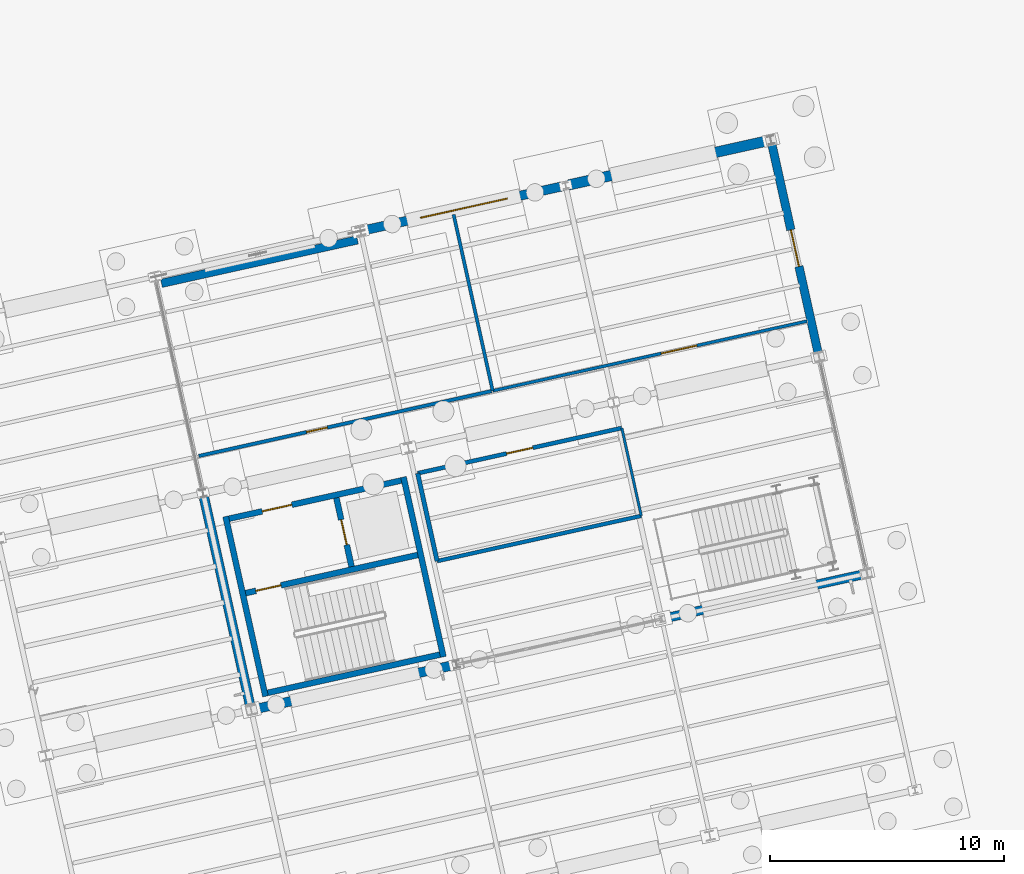
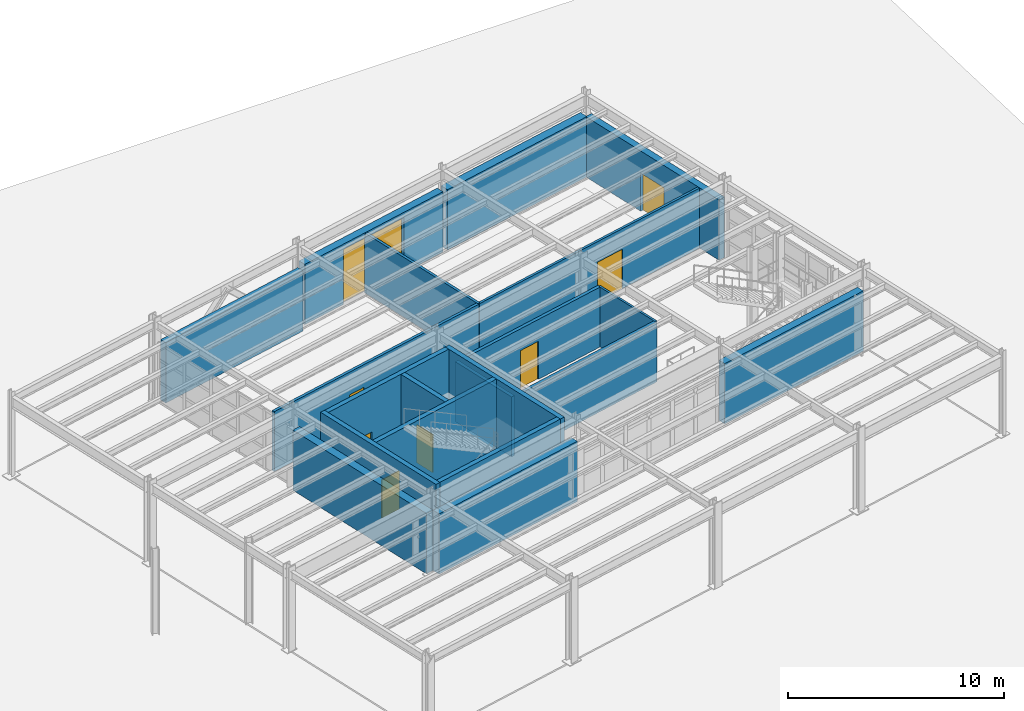
# One storey, part 89 of 108: 20 walls, 8 doors, 8 openings.
"""IFC4 building model written with IfcOpenShell, lengths in metres."""

from ifc_helpers import new_model, si_unit, direction, frame, frame_2d, origin, origin_with_axes, place, context, subcontext, project, spatial, rectangle, extrude, material, layer, layer_set, type_object, element, fill, save


model = new_model("IFC4")

# Units and contexts
model_context = context("Model", 3, precision=1e-05, world=origin(), true_north=direction((0.0, 1.0)))
body_context = subcontext(model_context, "Body", "Model", "MODEL_VIEW")
ifc_project = project(units=[si_unit("LENGTHUNIT", "METRE"), si_unit("AREAUNIT", "SQUARE_METRE"), si_unit("VOLUMEUNIT", "CUBIC_METRE"), si_unit("PLANEANGLEUNIT", "RADIAN"), si_unit("MASSUNIT", "GRAM", prefix="KILO")], contexts=[model_context])

# Site, building, storey
site_placement = place(None, origin())
site = spatial("IfcSite", under=ifc_project, at=site_placement, CompositionType="ELEMENT")
building_placement = place(site_placement, origin())
building = spatial("IfcBuilding", under=site, at=building_placement, Name="Vireo Bluff Cable Station", CompositionType="ELEMENT")
storey_placement = place(building_placement, origin())
storey = spatial("IfcBuildingStorey", under=building, at=storey_placement, Name="L00", CompositionType="ELEMENT", Elevation=0.0)

# Wall, opening, door
ifc_material_1 = material(Name="Precast concrete f'c 45 MPa", Category="concrete")
ifc_layer_1 = layer(ifc_material_1, 0.360107421875, Name="Precast concrete f'c 45 MPa")
ifc_layer_set_1 = layer_set([ifc_layer_1], Name="Precast concrete f'c 45 MPa")
wall_type_1 = type_object("IfcWallType", Name="EW-PRECAST-360", PredefinedType="SOLIDWALL", material=ifc_layer_set_1)
wall_1_placement = place(storey_placement, frame((155.016845703125, 109.44189453125, 0.0), z_axis=(0.0, 0.0, 1.0), x_axis=(0.216434399867, -0.976297163037, 0.0)))
wall_1 = element("IfcWall", 1, at=wall_1_placement, inside=storey, type_object=wall_type_1, Name="V2 L00 east exterior wall 33", PredefinedType="SOLIDWALL", context=body_context, shape_type="SweptSolid", body=[
    extrude(rectangle(XDim=9.119873046875, YDim=0.360107421875, at=frame_2d((4.56005859375, 0.0))), origin(), (0.0, 0.0, 1.0), 3.39990234375),
])
opening_1_placement = place(wall_1_placement, frame((3.760009765625, 0.0, 0.0)))
opening_1 = element("IfcOpeningElement", 2, at=opening_1_placement, cuts=wall_1, Name="Opening ED-003", PredefinedType="OPENING", context=body_context, shape_type="SweptSolid", body=[
    extrude(rectangle(XDim=1.60009765625, YDim=2.14990234375, at=frame_2d((0.800048828125, 1.074951171875))), frame((0.0, 0.18994140625, 0.0), z_axis=(0.0, -1.0, 0.0), x_axis=(1.0, 0.0, 0.0)), (0.0, 0.0, 1.0), 0.380126953125),
])
ifc_material_2 = material(Name="Anodized Aluminium 6063-T6", Category="aluminium")
door_type_1 = type_object("IfcDoorType", Name="EDOOR-1600X2150", OperationType="NOTDEFINED", PredefinedType="DOOR", material=ifc_material_2)
door_1_placement = place(opening_1_placement, origin_with_axes())
door_1 = element("IfcDoor", 3, at=door_1_placement, inside=storey, type_object=door_type_1, Name="V2 L00 plaza exit door ED-003", OperationType="DOUBLE_DOOR_SINGLE_SWING", OverallHeight=2.14990234375, OverallWidth=1.60009765625, PredefinedType="DOOR", context=body_context, shape_type="SweptSolid", body=[
    extrude(rectangle(XDim=1.60009765625, YDim=2.14990234375, at=frame_2d((0.800048828125, 1.074951171875))), frame((0.0, 0.02490234375, 0.0), z_axis=(0.0, -1.0, 0.0), x_axis=(1.0, 0.0, 0.0)), (0.0, 0.0, 1.0), 0.050048828125),
])
fill(opening_1, door_1)

# Walls
ifc_layer_2 = layer(ifc_material_1, 0.39990234375, Name="Precast concrete f'c 45 MPa")
ifc_layer_set_2 = layer_set([ifc_layer_2], Name="Precast concrete f'c 45 MPa")
wall_type_2 = type_object("IfcWallType", Name="EW-PRECAST-400", PredefinedType="SOLIDWALL", material=ifc_layer_set_2)
wall_2_placement = place(storey_placement, frame((158.892822265625, 91.022705078125, 0.0), z_axis=(0.0, 0.0, 1.0), x_axis=(-0.976297282628, -0.216433860412, 0.0)))
element("IfcWall", 4, at=wall_2_placement, inside=storey, type_object=wall_type_2, Name="V2 L00 south exterior wall 27", PredefinedType="SOLIDWALL", context=body_context, shape_type="SweptSolid", body=[
    extrude(rectangle(XDim=8.693603515625, YDim=0.39990234375, at=frame_2d((4.3466796875, 0.0))), origin(), (0.0, 0.0, 1.0), 3.39990234375),
])
ifc_layer_3 = layer(ifc_material_1, 0.409912109375, Name="Precast concrete f'c 45 MPa")
ifc_layer_set_3 = layer_set([ifc_layer_3], Name="Precast concrete f'c 45 MPa")
wall_type_3 = type_object("IfcWallType", Name="EW-PRECAST-410", PredefinedType="SOLIDWALL", material=ifc_layer_set_3)
wall_3_placement = place(storey_placement, frame((141.39111328125, 87.142822265625, 0.0), z_axis=(0.0, 0.0, 1.0), x_axis=(-0.976293666526, -0.216450171406, 0.0)))
element("IfcWall", 5, at=wall_3_placement, inside=storey, type_object=wall_type_3, Name="V2 L00 south exterior wall 28", PredefinedType="SOLIDWALL", context=body_context, shape_type="SweptSolid", body=[
    extrude(rectangle(XDim=8.665771484375, YDim=0.409912109375, at=frame_2d((4.3330078125, 0.0))), origin(), (0.0, 0.0, 1.0), 3.39990234375),
])
ifc_layer_4 = layer(ifc_material_1, 0.419921875, Name="Precast concrete f'c 45 MPa")
ifc_layer_set_4 = layer_set([ifc_layer_4], Name="Precast concrete f'c 45 MPa")
wall_type_4 = type_object("IfcWallType", Name="EW-PRECAST-420", PredefinedType="SOLIDWALL", material=ifc_layer_set_4)
wall_4_placement = place(storey_placement, frame((132.684814453125, 85.42822265625, 0.0), z_axis=(0.0, 0.0, 1.0), x_axis=(-0.216432247925, 0.976297640097, 0.0)))
element("IfcWall", 6, at=wall_4_placement, inside=storey, type_object=wall_type_4, Name="V2 L00 west exterior wall 29", PredefinedType="SOLIDWALL", context=body_context, shape_type="SweptSolid", body=[
    extrude(rectangle(XDim=9.132568359375, YDim=0.419921875, at=frame_2d((4.56640625, 0.0))), origin(), (0.0, 0.0, 1.0), 3.39990234375),
])
ifc_material_3 = material(Name="Fire-Rated Gypsum Board Partition")
ifc_layer_5 = layer(ifc_material_3, 0.110107421875, Name="Fire-Rated Gypsum Board Partition")
ifc_layer_set_5 = layer_set([ifc_layer_5], Name="Fire-Rated Gypsum Board Partition")
wall_type_5 = type_object("IfcWallType", Name="PT-1HR-110", PredefinedType="PARTITIONING", material=ifc_layer_set_5)
wall_5_placement = place(storey_placement, frame((148.59423828125, 97.29248046875, 0.0), z_axis=(0.0, 0.0, 1.0), x_axis=(0.21642685911, -0.97629883471, 0.0)))
element("IfcWall", 7, at=wall_5_placement, inside=storey, type_object=wall_type_5, Name="V2 L00 Maintenance Technician Office E partition", PredefinedType="PARTITIONING", context=body_context, shape_type="SweptSolid", body=[
    extrude(rectangle(XDim=3.85009765625, YDim=0.110107421875, at=frame_2d((1.925048828125, 0.0))), origin(), (0.0, 0.0, 1.0), 3.3798828125),
])

# Wall, opening, door
ifc_layer_6 = layer(ifc_material_3, 0.1298828125, Name="Fire-Rated Gypsum Board Partition")
ifc_layer_set_6 = layer_set([ifc_layer_6], Name="Fire-Rated Gypsum Board Partition")
wall_type_6 = type_object("IfcWallType", Name="PT-1HR-130", PredefinedType="PARTITIONING", material=ifc_layer_set_6)
wall_6_placement = place(storey_placement, frame((156.52197265625, 101.86669921875, 0.0), z_axis=(0.0, 0.0, 1.0), x_axis=(-0.976297820513, -0.216431434087, 0.0)))
wall_6 = element("IfcWall", 8, at=wall_6_placement, inside=storey, type_object=wall_type_6, Name="V2 L00 Medium-Voltage Switchgear Room S partition", PredefinedType="PARTITIONING", context=body_context, shape_type="SweptSolid", body=[
    extrude(rectangle(XDim=13.780029296875, YDim=0.1298828125, at=frame_2d((6.89013671875, 0.0))), origin(), (0.0, 0.0, 1.0), 3.3798828125),
])
opening_2_placement = place(wall_6_placement, frame((4.832275390625, 0.0, 0.0)))
opening_2 = element("IfcOpeningElement", 9, at=opening_2_placement, cuts=wall_6, Name="Opening D-0061", PredefinedType="OPENING", context=body_context, shape_type="SweptSolid", body=[
    extrude(rectangle(XDim=1.56005859375, YDim=2.219970703125, at=frame_2d((0.780029296875, 1.10986328125))), frame((0.0, 0.074951171875, 0.0), z_axis=(0.0, -1.0, 0.0), x_axis=(1.0, 0.0, 0.0)), (0.0, 0.0, 1.0), 0.14990234375),
])
door_type_2 = type_object("IfcDoorType", Name="IDOOR60-1560X2220", OperationType="NOTDEFINED", PredefinedType="DOOR", material=ifc_material_2)
door_2_placement = place(opening_2_placement, origin_with_axes())
door_2 = element("IfcDoor", 10, at=door_2_placement, inside=storey, type_object=door_type_2, Name="V2 L00 Medium-Voltage Switchgear Room door D-0061", OperationType="DOUBLE_DOOR_SINGLE_SWING", OverallHeight=2.219970703125, OverallWidth=1.56005859375, PredefinedType="DOOR", context=body_context, shape_type="SweptSolid", body=[
    extrude(rectangle(XDim=1.56005859375, YDim=2.219970703125, at=frame_2d((0.780029296875, 1.10986328125))), frame((0.0, 0.02490234375, 0.0), z_axis=(0.0, -1.0, 0.0), x_axis=(1.0, 0.0, 0.0)), (0.0, 0.0, 1.0), 0.050048828125),
])
fill(opening_2, door_2)

# Wall
ifc_layer_7 = layer(ifc_material_3, 0.139892578125, Name="Fire-Rated Gypsum Board Partition")
ifc_layer_set_7 = layer_set([ifc_layer_7], Name="Fire-Rated Gypsum Board Partition")
wall_type_7 = type_object("IfcWallType", Name="PT-1HR-140", PredefinedType="PARTITIONING", material=ifc_layer_set_7)
wall_7_placement = place(storey_placement, frame((143.068603515625, 98.88427734375, 0.0), z_axis=(0.0, 0.0, 1.0), x_axis=(-0.21644552293, 0.976294697109, 0.0)))
element("IfcWall", 11, at=wall_7_placement, inside=storey, type_object=wall_type_7, Name="V2 L00 Medium-Voltage Switchgear Room W partition", PredefinedType="PARTITIONING", context=body_context, shape_type="SweptSolid", body=[
    extrude(rectangle(XDim=7.72998046875, YDim=0.139892578125, at=frame_2d((3.864990234375, 0.0))), origin(), (0.0, 0.0, 1.0), 3.3798828125),
])

# Wall, opening, door
ifc_layer_8 = layer(ifc_material_3, 0.14990234375, Name="Fire-Rated Gypsum Board Partition")
ifc_layer_set_8 = layer_set([ifc_layer_8], Name="Fire-Rated Gypsum Board Partition")
wall_type_8 = type_object("IfcWallType", Name="PT-1HR-150", PredefinedType="PARTITIONING", material=ifc_layer_set_8)
wall_8_placement = place(storey_placement, frame((143.019775390625, 98.873291015625, 0.0), z_axis=(0.0, 0.0, 1.0), x_axis=(-0.976297078143, -0.216434782809, 0.0)))
wall_8 = element("IfcWall", 12, at=wall_8_placement, inside=storey, type_object=wall_type_8, Name="V2 L00 Cable Reel Storage Room S partition", PredefinedType="PARTITIONING", context=body_context, shape_type="SweptSolid", body=[
    extrude(rectangle(XDim=12.830078125, YDim=0.14990234375, at=frame_2d((6.4150390625, 0.0))), origin(), (0.0, 0.0, 1.0), 3.3798828125),
])
opening_3_placement = place(wall_8_placement, frame((7.2080078125, 0.0, 0.0)))
opening_3 = element("IfcOpeningElement", 13, at=opening_3_placement, cuts=wall_8, Name="Opening D-0062", PredefinedType="OPENING", context=body_context, shape_type="SweptSolid", body=[
    extrude(rectangle(XDim=0.89990234375, YDim=2.10009765625, at=frame_2d((0.449951171875, 1.050048828125))), frame((0.0, 0.0849609375, 0.0), z_axis=(0.0, -1.0, 0.0), x_axis=(1.0, 0.0, 0.0)), (0.0, 0.0, 1.0), 0.169921875),
])
door_type_3 = type_object("IfcDoorType", Name="IDOOR60-900X2100", OperationType="NOTDEFINED", PredefinedType="DOOR", material=ifc_material_2)
door_3_placement = place(opening_3_placement, origin_with_axes())
door_3 = element("IfcDoor", 14, at=door_3_placement, inside=storey, type_object=door_type_3, Name="V2 L00 Cable Reel Storage Room door D-0062", OperationType="SINGLE_SWING_LEFT", OverallHeight=2.10009765625, OverallWidth=0.89990234375, PredefinedType="DOOR", context=body_context, shape_type="SweptSolid", body=[
    extrude(rectangle(XDim=0.89990234375, YDim=2.10009765625, at=frame_2d((0.449951171875, 1.050048828125))), frame((0.0, 0.02490234375, 0.0), z_axis=(0.0, -1.0, 0.0), x_axis=(1.0, 0.0, 0.0)), (0.0, 0.0, 1.0), 0.050048828125),
])
fill(opening_3, door_3)

# Wall
ifc_layer_9 = layer(ifc_material_3, 0.1650390625, Name="Fire-Rated Gypsum Board Partition")
ifc_layer_set_9 = layer_set([ifc_layer_9], Name="Fire-Rated Gypsum Board Partition")
wall_type_9 = type_object("IfcWallType", Name="PT-1HR-165", PredefinedType="PARTITIONING", material=ifc_layer_set_9)
wall_9_placement = place(storey_placement, frame((149.427490234375, 93.53369140625, 0.0), z_axis=(0.0, 0.0, 1.0), x_axis=(-0.976292848113, -0.216453862805, 0.0)))
element("IfcWall", 15, at=wall_9_placement, inside=storey, type_object=wall_type_9, Name="V2 L00 Maintenance Technician Office S partition", PredefinedType="PARTITIONING", context=body_context, shape_type="SweptSolid", body=[
    extrude(rectangle(XDim=8.949951171875, YDim=0.1650390625, at=frame_2d((4.47509765625, 0.0))), origin(), (0.0, 0.0, 1.0), 3.3798828125),
])

# Wall, opening, door
ifc_layer_10 = layer(ifc_material_3, 0.175048828125, Name="Fire-Rated Gypsum Board Partition")
ifc_layer_set_10 = layer_set([ifc_layer_10], Name="Fire-Rated Gypsum Board Partition")
wall_type_10 = type_object("IfcWallType", Name="PT-1HR-175", PredefinedType="PARTITIONING", material=ifc_layer_set_10)
wall_10_placement = place(storey_placement, frame((139.8564453125, 95.355224609375, 0.0), z_axis=(0.0, 0.0, 1.0), x_axis=(0.976292848113, 0.216453862805, 0.0)))
wall_10 = element("IfcWall", 16, at=wall_10_placement, inside=storey, type_object=wall_type_10, Name="V2 L00 Maintenance Technician Office N partition", PredefinedType="PARTITIONING", context=body_context, shape_type="SweptSolid", body=[
    extrude(rectangle(XDim=8.949951171875, YDim=0.175048828125, at=frame_2d((4.47509765625, 0.0))), origin(), (0.0, 0.0, 1.0), 3.3798828125),
])
opening_4_placement = place(wall_10_placement, frame((3.89990234375, 0.0, 0.0)))
opening_4 = element("IfcOpeningElement", 17, at=opening_4_placement, cuts=wall_10, Name="Opening D-0063", PredefinedType="OPENING", context=body_context, shape_type="SweptSolid", body=[
    extrude(rectangle(XDim=1.14990234375, YDim=2.14990234375, at=frame_2d((0.574951171875, 1.074951171875))), frame((0.0, 0.09765625, 0.0), z_axis=(0.0, -1.0, 0.0), x_axis=(1.0, 0.0, 0.0)), (0.0, 0.0, 1.0), 0.195068359375),
])
door_type_4 = type_object("IfcDoorType", Name="IDOOR60-1150X2150", OperationType="NOTDEFINED", PredefinedType="DOOR", material=ifc_material_2)
door_4_placement = place(opening_4_placement, origin_with_axes())
door_4 = element("IfcDoor", 18, at=door_4_placement, inside=storey, type_object=door_type_4, Name="V2 L00 Maintenance Technician Office door D-0063", OperationType="SINGLE_SWING_RIGHT", OverallHeight=2.14990234375, OverallWidth=1.14990234375, PredefinedType="DOOR", context=body_context, shape_type="SweptSolid", body=[
    extrude(rectangle(XDim=1.14990234375, YDim=2.14990234375, at=frame_2d((0.574951171875, 1.074951171875))), frame((0.0, 0.02490234375, 0.0), z_axis=(0.0, -1.0, 0.0), x_axis=(1.0, 0.0, 0.0)), (0.0, 0.0, 1.0), 0.050048828125),
])
fill(opening_4, door_4)

# Walls
ifc_layer_11 = layer(ifc_material_3, 0.18994140625, Name="Fire-Rated Gypsum Board Partition")
ifc_layer_set_11 = layer_set([ifc_layer_11], Name="Fire-Rated Gypsum Board Partition")
wall_type_11 = type_object("IfcWallType", Name="PT-1HR-190", PredefinedType="PARTITIONING", material=ifc_layer_set_11)
wall_11_placement = place(storey_placement, frame((140.689697265625, 91.596435546875, 0.0), z_axis=(0.0, 0.0, 1.0), x_axis=(-0.21642685911, 0.97629883471, 0.0)))
element("IfcWall", 19, at=wall_11_placement, inside=storey, type_object=wall_type_11, Name="V2 L00 Maintenance Technician Office W partition", PredefinedType="PARTITIONING", context=body_context, shape_type="SweptSolid", body=[
    extrude(rectangle(XDim=3.85009765625, YDim=0.18994140625, at=frame_2d((1.925048828125, 0.0))), origin(), (0.0, 0.0, 1.0), 3.3798828125),
])
ifc_material_4 = material(Name="Concrete f'c 40 MPa", Category="concrete")
ifc_layer_12 = layer(ifc_material_4, 0.360107421875, Name="Concrete f'c 40 MPa")
ifc_layer_set_12 = layer_set([ifc_layer_12], Name="Concrete f'c 40 MPa")
wall_type_12 = type_object("IfcWallType", Name="RW-CONC-360", PredefinedType="USERDEFINED", material=ifc_layer_set_12)
wall_12_placement = place(storey_placement, frame((128.891845703125, 103.48486328125, 0.0), z_axis=(0.0, 0.0, 1.0), x_axis=(0.976299911336, 0.216422002405, 0.0)))
element("IfcWall", 20, at=wall_12_placement, inside=storey, type_object=wall_type_12, Name="V2 L00 north exterior wall 30", ObjectType="RETAINING WALL", PredefinedType="USERDEFINED", context=body_context, shape_type="SweptSolid", body=[
    extrude(rectangle(XDim=8.592529296875, YDim=0.360107421875, at=frame_2d((4.29638671875, 0.0))), origin(), (0.0, 0.0, 1.0), 3.39990234375),
])

# Wall, opening, door
ifc_layer_13 = layer(ifc_material_4, 0.39990234375, Name="Concrete f'c 40 MPa")
ifc_layer_set_13 = layer_set([ifc_layer_13], Name="Concrete f'c 40 MPa")
wall_type_13 = type_object("IfcWallType", Name="RW-CONC-400", PredefinedType="USERDEFINED", material=ifc_layer_set_13)
wall_13_placement = place(storey_placement, frame((137.6025390625, 105.76416015625, 0.0), z_axis=(0.0, 0.0, 1.0), x_axis=(0.976292992817, 0.216453210133, 0.0)))
wall_13 = element("IfcWall", 21, at=wall_13_placement, inside=storey, type_object=wall_type_13, Name="V2 L00 north exterior wall 31", ObjectType="RETAINING WALL", PredefinedType="USERDEFINED", context=body_context, shape_type="SweptSolid", body=[
    extrude(rectangle(XDim=8.6669921875, YDim=0.39990234375, at=frame_2d((4.33349609375, 0.0))), origin(), (0.0, 0.0, 1.0), 3.39990234375),
])
opening_5_placement = place(wall_13_placement, frame((2.43359375, 0.0, 0.0)))
opening_5 = element("IfcOpeningElement", 22, at=opening_5_placement, cuts=wall_13, Name="Opening VG-01", PredefinedType="OPENING", context=body_context, shape_type="SweptSolid", body=[
    extrude(rectangle(XDim=3.800048828125, YDim=3.10009765625, at=frame_2d((1.89990234375, 1.550048828125))), frame((0.0, 0.2099609375, 0.0), z_axis=(0.0, -1.0, 0.0), x_axis=(1.0, 0.0, 0.0)), (0.0, 0.0, 1.0), 0.419921875),
])
ifc_material_5 = material(Name="Standing-Seam Titanium-Zinc Cladding")
door_type_5 = type_object("IfcDoorType", Name="VGATE-3800X3100", OperationType="ROLLINGUP", PredefinedType="GATE", material=ifc_material_5)
door_5_placement = place(opening_5_placement, origin_with_axes())
door_5 = element("IfcDoor", 23, at=door_5_placement, inside=storey, type_object=door_type_5, Name="V2 L00 roller shutter gate VG-01", OperationType="ROLLINGUP", OverallHeight=3.10009765625, OverallWidth=3.800048828125, PredefinedType="GATE", context=body_context, shape_type="SweptSolid", body=[
    extrude(rectangle(XDim=3.800048828125, YDim=3.10009765625, at=frame_2d((1.89990234375, 1.550048828125))), frame((0.0, 0.02490234375, 0.0), z_axis=(0.0, -1.0, 0.0), x_axis=(1.0, 0.0, 0.0)), (0.0, 0.0, 1.0), 0.050048828125),
])
fill(opening_5, door_5)

# Walls
ifc_layer_14 = layer(ifc_material_4, 0.449951171875, Name="Concrete f'c 40 MPa")
ifc_layer_set_14 = layer_set([ifc_layer_14], Name="Concrete f'c 40 MPa")
wall_type_14 = type_object("IfcWallType", Name="RW-CONC-450", PredefinedType="USERDEFINED", material=ifc_layer_set_14)
wall_14_placement = place(storey_placement, frame((146.31884765625, 107.696533203125, 0.0), z_axis=(0.0, 0.0, 1.0), x_axis=(0.976295378786, 0.216442448151, 0.0)))
element("IfcWall", 24, at=wall_14_placement, inside=storey, type_object=wall_type_14, Name="V2 L00 north exterior wall 32", ObjectType="RETAINING WALL", PredefinedType="USERDEFINED", context=body_context, shape_type="SweptSolid", body=[
    extrude(rectangle(XDim=8.74072265625, YDim=0.449951171875, at=frame_2d((4.370361328125, 0.0))), origin(), (0.0, 0.0, 1.0), 3.39990234375),
])
ifc_layer_15 = layer(ifc_material_4, 0.25, Name="Concrete f'c 40 MPa")
ifc_layer_set_15 = layer_set([ifc_layer_15], Name="Concrete f'c 40 MPa")
wall_type_15 = type_object("IfcWallType", Name="SW-CORE-250", PredefinedType="SHEAR", material=ifc_layer_set_15)
for number, where, z_axis, x_axis, name in (
    (25, (133.343017578125, 85.809326171875, 0.0), (0.0, 0.0, 1.0), (-0.216432105695, 0.976297671627, 0.0), "CORE-4 L00 core W shear wall"),
    (26, (140.958251953125, 87.49755859375, 0.0), (0.0, 0.0, 1.0), (-0.216461618103, 0.976291128654, 0.0), "CORE-4 L00 core E shear wall"),
):
    element("IfcWall", number, at=place(storey_placement, frame(where, z_axis=z_axis, x_axis=x_axis)), inside=storey, type_object=wall_type_15, Name=name, PredefinedType="SHEAR", context=body_context, shape_type="SweptSolid", body=[
        extrude(rectangle(XDim=7.885009765625, YDim=0.25, at=frame_2d((3.9423828125, 0.0))), origin(), (0.0, 0.0, 1.0), 4.5400390625),
    ])
wall_15_placement = place(storey_placement, frame((133.43798828125, 85.958251953125, 0.0), z_axis=(0.0, 0.0, 1.0), x_axis=(0.976291943102, 0.216457944725, 0.0)))
element("IfcWall", 27, at=wall_15_placement, inside=storey, type_object=wall_type_15, Name="CORE-4 L00 stair shaft south shear wall", PredefinedType="SHEAR", context=body_context, shape_type="SweptSolid", body=[
    extrude(rectangle(XDim=7.550048828125, YDim=0.25, at=frame_2d((3.77490234375, 0.0))), origin(), (0.0, 0.0, 1.0), 4.5400390625),
])

# Wall, opening, door
wall_16_placement = place(storey_placement, frame((132.4921875, 90.224853515625, 0.0), z_axis=(0.0, 0.0, 1.0), x_axis=(0.97629877613, 0.216427123365, 0.0)))
wall_16 = element("IfcWall", 28, at=wall_16_placement, inside=storey, type_object=wall_type_15, Name="CORE-4 L00 stair shaft north shear wall", PredefinedType="SHEAR", context=body_context, shape_type="SweptSolid", body=[
    extrude(rectangle(XDim=7.550048828125, YDim=0.25, at=frame_2d((3.77490234375, 0.0))), origin(), (0.0, 0.0, 1.0), 4.5400390625),
])
opening_6_placement = place(wall_16_placement, frame((0.449951171875, 0.0, 0.0)))
opening_6 = element("IfcOpeningElement", 29, at=opening_6_placement, cuts=wall_16, Name="Opening SD-025", PredefinedType="OPENING", context=body_context, shape_type="SweptSolid", body=[
    extrude(rectangle(XDim=1.10009765625, YDim=2.14990234375, at=frame_2d((0.550048828125, 1.074951171875))), frame((0.0, 0.135009765625, 0.0), z_axis=(0.0, -1.0, 0.0), x_axis=(1.0, 0.0, 0.0)), (0.0, 0.0, 1.0), 0.27001953125),
])
ifc_material_6 = material(Name="Stainless Steel 316", Category="steel")
door_type_6 = type_object("IfcDoorType", Name="IDOOR90-1100X2150", OperationType="NOTDEFINED", PredefinedType="DOOR", material=ifc_material_6)
door_6_placement = place(opening_6_placement, origin_with_axes())
door_6 = element("IfcDoor", 30, at=door_6_placement, inside=storey, type_object=door_type_6, Name="CORE-4 L00 stair fire door SD-025", OperationType="SINGLE_SWING_RIGHT", OverallHeight=2.14990234375, OverallWidth=1.10009765625, PredefinedType="DOOR", context=body_context, shape_type="SweptSolid", body=[
    extrude(rectangle(XDim=1.10009765625, YDim=2.14990234375, at=frame_2d((0.550048828125, 1.074951171875))), frame((0.0, 0.02490234375, 0.0), z_axis=(0.0, -1.0, 0.0), x_axis=(1.0, 0.0, 0.0)), (0.0, 0.0, 1.0), 0.050048828125),
])
fill(opening_6, door_6)

wall_17_placement = place(storey_placement, frame((131.78564453125, 93.412353515625, 0.0), z_axis=(0.0, 0.0, 1.0), x_axis=(0.976297261401, 0.216433956164, 0.0)))
wall_17 = element("IfcWall", 31, at=wall_17_placement, inside=storey, type_object=wall_type_15, Name="CORE-4 L00 core north shear wall", PredefinedType="SHEAR", context=body_context, shape_type="SweptSolid", body=[
    extrude(rectangle(XDim=7.5498046875, YDim=0.25, at=frame_2d((3.77490234375, 0.0))), origin(), (0.0, 0.0, 1.0), 4.5400390625),
])
opening_7_placement = place(wall_17_placement, frame((1.449951171875, 0.0, 0.0)))
opening_7 = element("IfcOpeningElement", 32, at=opening_7_placement, cuts=wall_17, Name="Opening FD-026", PredefinedType="OPENING", context=body_context, shape_type="SweptSolid", body=[
    extrude(rectangle(XDim=1.300048828125, YDim=2.14990234375, at=frame_2d((0.64990234375, 1.074951171875))), frame((0.0, 0.135009765625, 0.0), z_axis=(0.0, -1.0, 0.0), x_axis=(1.0, 0.0, 0.0)), (0.0, 0.0, 1.0), 0.27001953125),
])
door_type_7 = type_object("IfcDoorType", Name="IDOOR90-1300X2150", OperationType="NOTDEFINED", PredefinedType="DOOR", material=ifc_material_6)
door_7_placement = place(opening_7_placement, origin_with_axes())
door_7 = element("IfcDoor", 33, at=door_7_placement, inside=storey, type_object=door_type_7, Name="CORE-4 L00 firefighting lobby door FD-026", OperationType="SINGLE_SWING_LEFT", OverallHeight=2.14990234375, OverallWidth=1.300048828125, PredefinedType="DOOR", context=body_context, shape_type="SweptSolid", body=[
    extrude(rectangle(XDim=1.300048828125, YDim=2.14990234375, at=frame_2d((0.64990234375, 1.074951171875))), frame((0.0, 0.02490234375, 0.0), z_axis=(0.0, -1.0, 0.0), x_axis=(1.0, 0.0, 0.0)), (0.0, 0.0, 1.0), 0.050048828125),
])
fill(opening_7, door_7)

wall_18_placement = place(storey_placement, frame((137.029296875, 91.358642578125, 0.0), z_axis=(0.0, 0.0, 1.0), x_axis=(-0.216441732724, 0.976295537394, 0.0)))
wall_18 = element("IfcWall", 34, at=wall_18_placement, inside=storey, type_object=wall_type_15, Name="CORE-4 L00 lift shaft front wall", PredefinedType="SHEAR", context=body_context, shape_type="SweptSolid", body=[
    extrude(rectangle(XDim=3.01513671875, YDim=0.25, at=frame_2d((1.507568359375, 0.0))), origin(), (0.0, 0.0, 1.0), 4.5400390625),
])
opening_8_placement = place(wall_18_placement, frame((0.95751953125, 0.0, 0.0)))
opening_8 = element("IfcOpeningElement", 35, at=opening_8_placement, cuts=wall_18, Name="Opening LD-013", PredefinedType="OPENING", context=body_context, shape_type="SweptSolid", body=[
    extrude(rectangle(XDim=1.10009765625, YDim=2.14990234375, at=frame_2d((0.550048828125, 1.074951171875))), frame((0.0, 0.135009765625, 0.0), z_axis=(0.0, -1.0, 0.0), x_axis=(1.0, 0.0, 0.0)), (0.0, 0.0, 1.0), 0.27001953125),
])
door_type_8 = type_object("IfcDoorType", Name="LIFTDOOR-1100X2150", OperationType="DOUBLE_DOOR_SLIDING", PredefinedType="DOOR", material=ifc_material_6)
door_8_placement = place(opening_8_placement, origin_with_axes())
door_8 = element("IfcDoor", 36, at=door_8_placement, inside=storey, type_object=door_type_8, Name="CORE-4 L00 lift sliding landing door LD-013", OperationType="DOUBLE_DOOR_SLIDING", OverallHeight=2.14990234375, OverallWidth=1.10009765625, PredefinedType="DOOR", context=body_context, shape_type="SweptSolid", body=[
    extrude(rectangle(XDim=1.10009765625, YDim=2.14990234375, at=frame_2d((0.550048828125, 1.074951171875))), frame((0.0, 0.02490234375, 0.0), z_axis=(0.0, -1.0, 0.0), x_axis=(1.0, 0.0, 0.0)), (0.0, 0.0, 1.0), 0.050048828125),
])
fill(opening_8, door_8)

save(model, "model.ifc")
